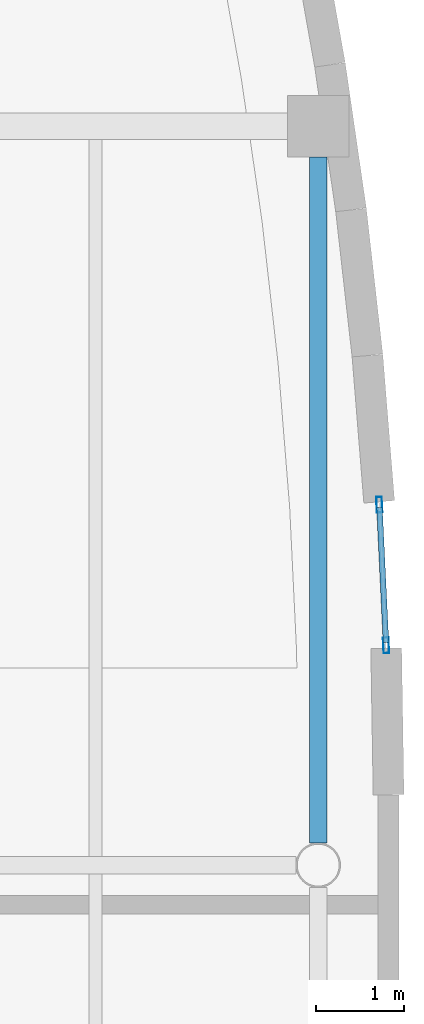
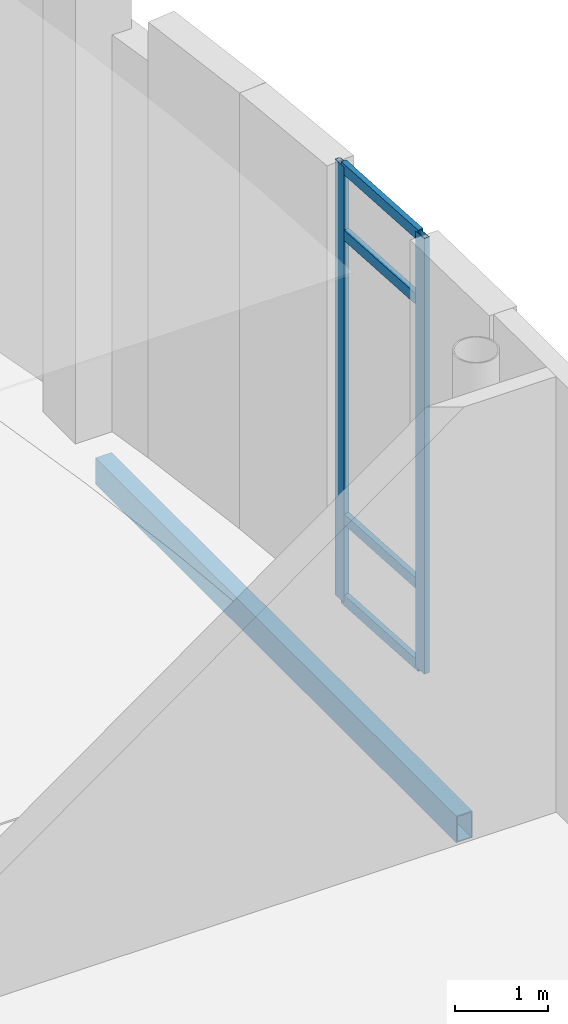
# One storey, part 29 of 85: 6 members, 1 beam, 1 element without a shape of its own.
"""IFC4 building model written with IfcOpenShell, lengths in metres."""

from ifc_helpers import new_model, si_unit, direction, frame, origin, origin_2d, place, context, subcontext, project, spatial, hollow_rectangle, extrude, material, layer, layer_set, material_profile, profile_set, type_object, element, aggregate, save


model = new_model("IFC4")

# Units and contexts
model_context = context("Model", 3, precision=1e-05, world=origin(), true_north=direction((0.0, 1.0)))
body_context = subcontext(model_context, "Body", "Model", "MODEL_VIEW")
ifc_project = project(units=[si_unit("LENGTHUNIT", "METRE"), si_unit("AREAUNIT", "SQUARE_METRE"), si_unit("VOLUMEUNIT", "CUBIC_METRE"), si_unit("PLANEANGLEUNIT", "RADIAN"), si_unit("MASSUNIT", "GRAM", prefix="KILO"), si_unit("THERMODYNAMICTEMPERATUREUNIT", "KELVIN")], contexts=[model_context])

# Site, building, storey
site_placement = place(None, origin())
site = spatial("IfcSite", under=ifc_project, at=site_placement, CompositionType="ELEMENT")
building_placement = place(site_placement, origin())
building = spatial("IfcBuilding", under=site, at=building_placement, Name="Lustrewick Department Store", CompositionType="ELEMENT")
storey_placement = place(building_placement, origin())
storey = spatial("IfcBuildingStorey", under=building, at=storey_placement, Name="L01", CompositionType="ELEMENT", Elevation=0.0)

# Curtain wall, members
ifc_material_1 = material(Name="Thermally broken aluminium 6063-T5", Category="aluminium")
ifc_layer = layer(ifc_material_1, 0.179931640625, Name="Thermally broken aluminium 6063-T5")
ifc_layer_set = layer_set([ifc_layer], Name="Thermally broken aluminium 6063-T5")
curtain_wall_type = type_object("IfcCurtainWallType", Name="CW02", PredefinedType="NOTDEFINED", material=ifc_layer_set)
curtain_wall_placement = place(storey_placement, origin())
curtain_wall = element("IfcCurtainWall", 1, at=curtain_wall_placement, inside=storey, type_object=curtain_wall_type, Name="L01 V4 Curtain Wall CW02", PredefinedType="NOTDEFINED")
ifc_material_profile_1 = material_profile(ifc_material_1, hollow_rectangle(XDim=0.06494140625, YDim=0.179931640625, WallThickness=0.00390625, at=origin_2d()), Name="ALU-M 65x180x4")
ifc_profile_set_1 = profile_set([ifc_material_profile_1], Name="Thermally broken aluminium 6063-T5")
member_type_1 = type_object("IfcMemberType", Name="CW02-M1", PredefinedType="MULLION", material=ifc_profile_set_1)
member_1_placement = place(storey_placement, frame((167.9716796875, 61.299072265625, 0.0), z_axis=(0.0, 0.0, 1.0), x_axis=(-0.998844809751, -0.048052534093, 0.0)))
member_1 = element("IfcMember", 2, at=member_1_placement, type_object=member_type_1, Name="CW02 mullion 1", PredefinedType="MULLION", context=body_context, shape_type="SweptSolid", body=[
    extrude(hollow_rectangle(XDim=0.06494140625, YDim=0.179931640625, WallThickness=0.00390625, at=origin_2d()), origin(), (0.0, 0.0, 1.0), 5.7451171875),
])
member_2_placement = place(storey_placement, frame((167.894775390625, 62.899169921875, 0.0), z_axis=(0.0, 0.0, 1.0), x_axis=(-0.998844809751, -0.048052534093, 0.0)))
member_2 = element("IfcMember", 3, at=member_2_placement, type_object=member_type_1, Name="CW02 mullion 2", PredefinedType="MULLION", context=body_context, shape_type="SweptSolid", body=[
    extrude(hollow_rectangle(XDim=0.06494140625, YDim=0.179931640625, WallThickness=0.00390625, at=origin_2d()), origin(), (0.0, 0.0, 1.0), 5.7451171875),
])
ifc_material_profile_2 = material_profile(ifc_material_1, hollow_rectangle(XDim=0.06494140625, YDim=0.139892578125, WallThickness=0.00341796875, at=origin_2d()), Name="ALU-T 65x140x3.5")
ifc_profile_set_2 = profile_set([ifc_material_profile_2], Name="Thermally broken aluminium 6063-T5")
member_type_2 = type_object("IfcMemberType", Name="CW02-T1", PredefinedType="USERDEFINED", material=ifc_profile_set_2)
member_3_placement = place(storey_placement, frame((167.97021484375, 61.33154296875, 0.032470703125), z_axis=(-0.048131175267, 0.99884102337, 0.0), x_axis=(-0.99884102337, -0.048131175267, 0.0)))
member_3 = element("IfcMember", 4, at=member_3_placement, type_object=member_type_2, Name="CW02 transom 1.1", ObjectType="TRANSOM", PredefinedType="USERDEFINED", context=body_context, shape_type="SweptSolid", body=[
    extrude(hollow_rectangle(XDim=0.06494140625, YDim=0.139892578125, WallThickness=0.00341796875, at=origin_2d()), origin(), (0.0, 0.0, 1.0), 1.536865234375),
])
member_4_placement = place(storey_placement, frame((167.97021484375, 61.33154296875, 1.10009765625), z_axis=(-0.048131175267, 0.99884102337, 0.0), x_axis=(-0.99884102337, -0.048131175267, 0.0)))
member_4 = element("IfcMember", 5, at=member_4_placement, type_object=member_type_2, Name="CW02 transom 1.2", ObjectType="TRANSOM", PredefinedType="USERDEFINED", context=body_context, shape_type="SweptSolid", body=[
    extrude(hollow_rectangle(XDim=0.06494140625, YDim=0.139892578125, WallThickness=0.00341796875, at=origin_2d()), origin(), (0.0, 0.0, 1.0), 1.536865234375),
])
member_5_placement = place(storey_placement, frame((167.97021484375, 61.33154296875, 4.844970703125), z_axis=(-0.048131175267, 0.99884102337, 0.0), x_axis=(-0.99884102337, -0.048131175267, 0.0)))
member_5 = element("IfcMember", 6, at=member_5_placement, type_object=member_type_2, Name="CW02 transom 1.3", ObjectType="TRANSOM", PredefinedType="USERDEFINED", context=body_context, shape_type="SweptSolid", body=[
    extrude(hollow_rectangle(XDim=0.06494140625, YDim=0.139892578125, WallThickness=0.00341796875, at=origin_2d()), origin(), (0.0, 0.0, 1.0), 1.536865234375),
])
member_6_placement = place(storey_placement, frame((167.97021484375, 61.33154296875, 5.71240234375), z_axis=(-0.048131175267, 0.99884102337, 0.0), x_axis=(-0.99884102337, -0.048131175267, 0.0)))
member_6 = element("IfcMember", 7, at=member_6_placement, type_object=member_type_2, Name="CW02 transom 1.4", ObjectType="TRANSOM", PredefinedType="USERDEFINED", context=body_context, shape_type="SweptSolid", body=[
    extrude(hollow_rectangle(XDim=0.06494140625, YDim=0.139892578125, WallThickness=0.00341796875, at=origin_2d()), origin(), (0.0, 0.0, 1.0), 1.536865234375),
])
aggregate(curtain_wall, [member_1, member_2, member_3, member_4, member_5, member_6])

# Beam
ifc_material_2 = material(Name="Structural steel Q355C", Category="steel")
ifc_material_profile_3 = material_profile(ifc_material_2, hollow_rectangle(XDim=0.199951171875, YDim=0.35009765625, WallThickness=0.011962890625, at=origin_2d()), Name="RHS 350x200x12")
ifc_profile_set_3 = profile_set([ifc_material_profile_3], Name="Structural steel Q355C")
beam_type = type_object("IfcBeamType", Name="SP03", PredefinedType="SPANDREL", material=ifc_profile_set_3)
beam_placement = place(storey_placement, frame((167.199951171875, 59.053955078125, -0.445068359375), z_axis=(0.0, 1.0, 0.0), x_axis=(-1.0, 0.0, 0.0)))
element("IfcBeam", 8, at=beam_placement, inside=storey, type_object=beam_type, Name="L01 V4 Girder SP03", PredefinedType="SPANDREL", context=body_context, shape_type="SweptSolid", body=[
    extrude(hollow_rectangle(XDim=0.199951171875, YDim=0.35009765625, WallThickness=0.011962890625, at=origin_2d()), origin(), (0.0, 0.0, 1.0), 7.796142578125),
])

save(model, "model.ifc")
